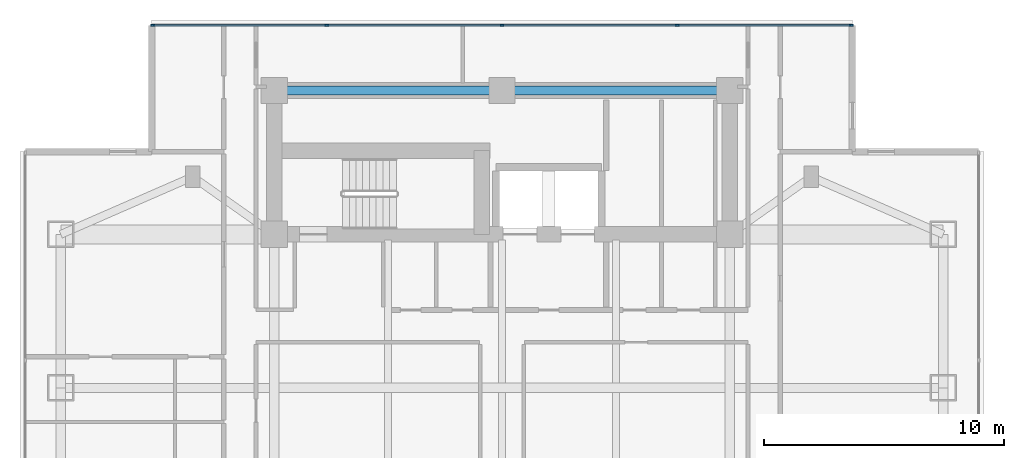
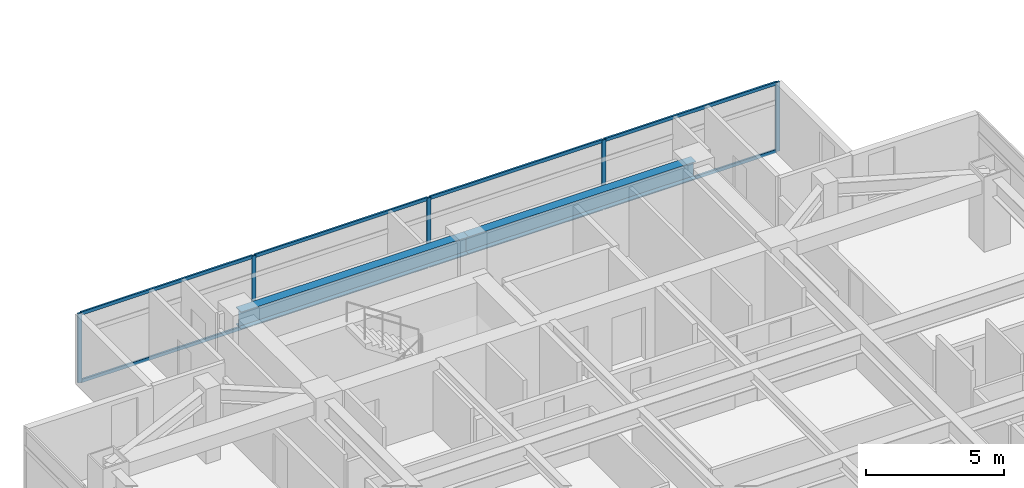
# One storey, part 8 of 24: 13 members, 2 beams, 1 element without a shape of its own.
"""IFC4 building model written with IfcOpenShell, lengths in metres."""

import ifcopenshell
import ifcopenshell.guid

model = None  # the IFC model being written
_history = None  # IfcOwnerHistory: only IFC2X3 demands one
_inside = {}  # id of a spatial element -> (the spatial element, [elements in it])
_under = {}  # id of a project, library or spatial element -> (it, [spatial elements below it])
_declared = {}  # id of a project -> (the project, [libraries it declares])
_typed = {}  # id of a type object -> (the type object, [elements of that type])
_made_of = {}  # id of a material, layer set ... -> (it, [elements and type objects made of it])


def new_model(schema):
    """Start an empty IFC model of exactly this schema.

    Asked for "IFC4X3", IfcOpenShell would pick the latest addendum, in which some entities
    have other attributes; the version numbers below select the first issue.
    IFC2X3 requires an IfcOwnerHistory on every rooted entity: one is made here for all.
    """
    global model, _history
    if schema == "IFC4X3":
        model = ifcopenshell.file(schema_version=(4, 3, 0, 0))
    else:
        model = ifcopenshell.file(schema=schema)
    _inside.clear()
    _under.clear()
    _declared.clear()
    _typed.clear()
    _made_of.clear()
    _history = None
    if model.schema == "IFC2X3":
        org = make("IfcOrganization", Name="unknown")
        user = make(
            "IfcPersonAndOrganization",
            ThePerson=make("IfcPerson", FamilyName="unknown"),
            TheOrganization=org,
        )
        app = make(
            "IfcApplication",
            ApplicationDeveloper=org,
            Version="unknown",
            ApplicationFullName="unknown",
            ApplicationIdentifier="unknown",
        )
        _history = make(
            "IfcOwnerHistory",
            OwningUser=user,
            OwningApplication=app,
            ChangeAction="ADDED",
            CreationDate=0,
        )
    return model


def make(cls, **values):
    """One entity of the class cls with the attributes given. An attribute that is None is left unset."""
    return model.create_entity(
        cls, **{name: value for name, value in values.items() if value is not None}
    )


def rooted(cls, **values):
    """An entity with a GlobalId (a new one), such as an element, a storey or a relation."""
    return make(cls, GlobalId=ifcopenshell.guid.new(), OwnerHistory=_history, **values)


def si_unit(unit_type, name, prefix=None):
    """IfcSIUnit, for example si_unit("LENGTHUNIT", "METRE", prefix="MILLI")."""
    return make("IfcSIUnit", UnitType=unit_type, Prefix=prefix, Name=name)


def assignment(units):
    """IfcUnitAssignment: the units of a project."""
    return None if units is None else make("IfcUnitAssignment", Units=units)


def point(xyz):
    """IfcCartesianPoint."""
    return None if xyz is None else make("IfcCartesianPoint", Coordinates=xyz)


def direction(xyz):
    """IfcDirection."""
    return None if xyz is None else make("IfcDirection", DirectionRatios=xyz)


def frame(location, z_axis=None, x_axis=None):
    """IfcAxis2Placement3D, a coordinate frame: its origin and axes. An axis left out is left unset."""
    return make(
        "IfcAxis2Placement3D",
        Location=point(location),
        Axis=direction(z_axis),
        RefDirection=direction(x_axis),
    )


def frame_2d(location, x_axis=None):
    """IfcAxis2Placement2D, a coordinate frame in the plane: its origin and x axis."""
    return make(
        "IfcAxis2Placement2D", Location=point(location), RefDirection=direction(x_axis)
    )


def origin():
    """The frame at (0, 0, 0) with its axes left unset."""
    return frame((0.0, 0.0, 0.0))


def origin_2d():
    """The frame at (0, 0) in the plane with its x axis left unset."""
    return frame_2d((0.0, 0.0))


def place(relative_to, where):
    """IfcLocalPlacement: puts the frame where relative to a parent placement (None: the world)."""
    return make(
        "IfcLocalPlacement", PlacementRelTo=relative_to, RelativePlacement=where
    )


def context(
    kind, dimensions, precision=None, world=None, true_north=None, identifier=None
):
    """IfcGeometricRepresentationContext, for example the 3D "Model" context."""
    return make(
        "IfcGeometricRepresentationContext",
        ContextIdentifier=identifier,
        ContextType=kind,
        CoordinateSpaceDimension=dimensions,
        Precision=precision,
        WorldCoordinateSystem=world,
        TrueNorth=true_north,
    )


def subcontext(parent, identifier, kind, view, scale=None):
    """IfcGeometricRepresentationSubContext, for example "Body" below "Model"."""
    return make(
        "IfcGeometricRepresentationSubContext",
        ContextIdentifier=identifier,
        ContextType=kind,
        ParentContext=parent,
        TargetScale=scale,
        TargetView=view,
    )


def project(units=None, contexts=None):
    """IfcProject with its units and contexts."""
    return rooted(
        "IfcProject",
        Name="project",
        RepresentationContexts=contexts,
        UnitsInContext=assignment(units),
    )


def spatial(cls, under=None, at=None, **own):
    """A site, building, storey or space (cls), placed at a placement, below another one or the project."""
    s = rooted(cls, ObjectPlacement=at, **own)
    if under is not None:
        _under.setdefault(under.id(), (under, []))[1].append(s)
    return s


def profile(cls, at=None, kind="AREA", **sizes):
    """A parametric profile (cls). Its sizes go by their IFC names, for example OverallWidth=200.0."""
    return make(cls, ProfileType=kind, Position=at, **sizes)


def rectangle(**sizes):
    """IfcRectangleProfileDef."""
    return profile("IfcRectangleProfileDef", **sizes)


def i_section(**sizes):
    """IfcIShapeProfileDef."""
    return profile("IfcIShapeProfileDef", **sizes)


def extrude(swept, where, along, depth):
    """IfcExtrudedAreaSolid: the profile swept, set in the frame where, extruded along a direction by depth."""
    return make(
        "IfcExtrudedAreaSolid",
        SweptArea=swept,
        Position=where,
        ExtrudedDirection=direction(along),
        Depth=depth,
    )


def shape(context_of_items, identifier, shape_type, items):
    """IfcShapeRepresentation: the items that make up one representation, for example the "Body"."""
    return make(
        "IfcShapeRepresentation",
        ContextOfItems=context_of_items,
        RepresentationIdentifier=identifier,
        RepresentationType=shape_type,
        Items=items,
    )


def material(Name=None, Category=None):
    """IfcMaterial."""
    return make("IfcMaterial", Name=Name, Category=Category)


def material_profile(
    of_material, cross_section, Name=None, Category=None, Priority=None
):
    """IfcMaterialProfile: a cross section and its material."""
    return make(
        "IfcMaterialProfile",
        Name=Name,
        Material=of_material,
        Profile=cross_section,
        Priority=Priority,
        Category=Category,
    )


def profile_set(profiles, Name=None, composite=None):
    """IfcMaterialProfileSet."""
    return make(
        "IfcMaterialProfileSet",
        Name=Name,
        MaterialProfiles=profiles,
        CompositeProfile=composite,
    )


def made_of(thing, what):
    """Note that an element or type object is made of a material, layer set ...; save() writes the relation."""
    if what is not None:
        _made_of.setdefault(what.id(), (what, []))[1].append(thing)
    return thing


def type_object(cls, material=None, **own):
    """A type object (cls), such as IfcWallType, which elements share."""
    return made_of(rooted(cls, **own), material)


def element(
    cls,
    number,
    at=None,
    inside=None,
    cuts=None,
    type_object=None,
    material=None,
    context=None,
    identifier="Body",
    shape_type=None,
    held_by="IfcProductDefinitionShape",
    body=None,
    shapes=None,
    **own,
):
    """One element of the class cls, such as IfcWall. Its Tag is "e" and its number.

    at: its placement. inside: the storey or other place that contains it. cuts: it is an
    opening in that element (IfcRelVoidsElement). A single representation is given by context,
    identifier, shape_type and body (its items); several are given by shapes. held_by: the class
    of the entity that holds the representations. save() writes the other relations.
    """
    e = rooted(cls, Tag="e%d" % number, ObjectPlacement=at, **own)
    if body is not None:
        shapes = [shape(context, identifier, shape_type, body)]
    if shapes is not None:
        e.Representation = make(held_by, Representations=shapes)
    if inside is not None:
        _inside.setdefault(inside.id(), (inside, []))[1].append(e)
    if cuts is not None:
        rooted(
            "IfcRelVoidsElement", RelatingBuildingElement=cuts, RelatedOpeningElement=e
        )
    if type_object is not None:
        _typed.setdefault(type_object.id(), (type_object, []))[1].append(e)
    return made_of(e, material)


def aggregate(whole, parts):
    """IfcRelAggregates: a whole, such as a stair, and the parts it consists of."""
    return rooted("IfcRelAggregates", RelatingObject=whole, RelatedObjects=parts)


def save(model, path):
    """Write the relations noted so far, then the file.

    IfcRelAggregates (storeys below a building ...), IfcRelContainedInSpatialStructure (elements
    in a storey), IfcRelDefinesByType, IfcRelAssociatesMaterial and IfcRelDeclares: one each for
    every whole, place, type object, material and project.
    """
    for whole, parts in _under.values():
        aggregate(whole, parts)
    for where, things in _inside.values():
        rooted(
            "IfcRelContainedInSpatialStructure",
            RelatedElements=things,
            RelatingStructure=where,
        )
    for kind, things in _typed.values():
        rooted("IfcRelDefinesByType", RelatedObjects=things, RelatingType=kind)
    for what, things in _made_of.values():
        rooted("IfcRelAssociatesMaterial", RelatedObjects=things, RelatingMaterial=what)
    for by, libraries in _declared.values():
        rooted("IfcRelDeclares", RelatingContext=by, RelatedDefinitions=libraries)
    model.write(path)


model = new_model("IFC4")

# Units and contexts
model_context = context("Model", 3, precision=1e-05, world=origin(), true_north=direction((0.0, 1.0)))
body_context = subcontext(model_context, "Body", "Model", "MODEL_VIEW")
ifc_project = project(units=[si_unit("LENGTHUNIT", "METRE"), si_unit("AREAUNIT", "SQUARE_METRE"), si_unit("VOLUMEUNIT", "CUBIC_METRE"), si_unit("PLANEANGLEUNIT", "RADIAN"), si_unit("MASSUNIT", "GRAM", prefix="KILO")], contexts=[model_context])

# Site, building, storey
site_placement = place(None, origin())
site = spatial("IfcSite", under=ifc_project, at=site_placement, CompositionType="ELEMENT")
building_placement = place(site_placement, origin())
building = spatial("IfcBuilding", under=site, at=building_placement, Name="Mirazonda Arch Towers", CompositionType="ELEMENT")
storey_placement = place(building_placement, frame((0.0, 0.0, 118.10009765625)))
storey = spatial("IfcBuildingStorey", under=building, at=storey_placement, Name="L33", CompositionType="ELEMENT", Elevation=118.10009765625)

# Beams
ifc_material_1 = material(Name="Steel ASTM A992 Grade 50", Category="steel")
ifc_material_profile_1 = material_profile(ifc_material_1, i_section(OverallWidth=0.381103515625, OverallDepth=0.77294921875, WebThickness=0.0166015625, FlangeThickness=0.027099609375, at=origin_2d()), Name="W30X173")
ifc_profile_set_1 = profile_set([ifc_material_profile_1], Name="Steel ASTM A992 Grade 50")
beam_type = type_object("IfcBeamType", Name="BM-INT-W30X173", PredefinedType="USERDEFINED", material=ifc_profile_set_1)
for number, where, z_axis, x_axis, name in (
    (1, (11.0, 43.60009765625, 2.693359375), (1.0, 0.0, 0.0), (0.0, 1.0, 0.0), "L33 Floor Beam BM-T1-L33-CN1"),
    (2, (20.5, 43.60009765625, 2.693359375), (1.0, 0.0, 0.0), (0.0, 1.0, 0.0), "L33 Floor Beam BM-T1-L33-CN2"),
):
    element("IfcBeam", number, at=place(storey_placement, frame(where, z_axis=z_axis, x_axis=x_axis)), inside=storey, type_object=beam_type, Name=name, ObjectType="GIRDER", PredefinedType="USERDEFINED", context=body_context, shape_type="SweptSolid", body=[
        extrude(i_section(OverallWidth=0.381103515625, OverallDepth=0.77294921875, WebThickness=0.0166015625, FlangeThickness=0.027099609375, at=origin_2d()), origin(), (0.0, 0.0, 1.0), 9.5),
    ])

# Curtain wall, members
ifc_material_2 = material(Name="Anodised Aluminium and Low-E Glass", Category="aluminium")
curtain_wall_type = type_object("IfcCurtainWallType", Name="CW-HTL-UNIT", PredefinedType="NOTDEFINED", material=ifc_material_2)
curtain_wall_placement = place(storey_placement, origin())
curtain_wall = element("IfcCurtainWall", 3, at=curtain_wall_placement, inside=storey, type_object=curtain_wall_type, Name="L33 T1 N Facade CW-L33-T1-N", PredefinedType="NOTDEFINED")
ifc_material_3 = material(Name="Anodised Aluminium Alloy", Category="aluminium")
ifc_material_profile_2 = material_profile(ifc_material_3, rectangle(XDim=0.074951171875, YDim=0.1650390625, at=origin_2d()), Name="ALU-MULL-75x165")
ifc_profile_set_2 = profile_set([ifc_material_profile_2], Name="Anodised Aluminium Alloy")
member_type_1 = type_object("IfcMemberType", Name="MULL-CW-HTL-UNIT", PredefinedType="MULLION", material=ifc_profile_set_2)
member_1_placement = place(storey_placement, frame((5.927490234375, 46.320068359375, 0.0), z_axis=(0.0, 0.0, 1.0), x_axis=(0.0, 1.0, 0.0)))
member_1 = element("IfcMember", 4, at=member_1_placement, type_object=member_type_1, Name="CW-112 mullion 1", PredefinedType="MULLION", context=body_context, shape_type="SweptSolid", body=[
    extrude(rectangle(XDim=0.074951171875, YDim=0.1650390625, at=origin_2d()), origin(), (0.0, 0.0, 1.0), 3.059814453125),
])
member_2_placement = place(storey_placement, frame((13.195068359375, 46.320068359375, 0.0), z_axis=(0.0, 0.0, 1.0), x_axis=(0.0, 1.0, 0.0)))
member_2 = element("IfcMember", 5, at=member_2_placement, type_object=member_type_1, Name="CW-112 mullion 2", PredefinedType="MULLION", context=body_context, shape_type="SweptSolid", body=[
    extrude(rectangle(XDim=0.074951171875, YDim=0.1650390625, at=origin_2d()), origin(), (0.0, 0.0, 1.0), 3.059814453125),
])
member_3_placement = place(storey_placement, frame((20.5, 46.320068359375, 0.0), z_axis=(0.0, 0.0, 1.0), x_axis=(0.0, 1.0, 0.0)))
member_3 = element("IfcMember", 6, at=member_3_placement, type_object=member_type_1, Name="CW-112 mullion 3", PredefinedType="MULLION", context=body_context, shape_type="SweptSolid", body=[
    extrude(rectangle(XDim=0.074951171875, YDim=0.1650390625, at=origin_2d()), origin(), (0.0, 0.0, 1.0), 3.059814453125),
])
member_4_placement = place(storey_placement, frame((27.804931640625, 46.320068359375, 0.0), z_axis=(0.0, 0.0, 1.0), x_axis=(0.0, 1.0, 0.0)))
member_4 = element("IfcMember", 7, at=member_4_placement, type_object=member_type_1, Name="CW-112 mullion 4", PredefinedType="MULLION", context=body_context, shape_type="SweptSolid", body=[
    extrude(rectangle(XDim=0.074951171875, YDim=0.1650390625, at=origin_2d()), origin(), (0.0, 0.0, 1.0), 3.059814453125),
])
member_5_placement = place(storey_placement, frame((35.072509765625, 46.320068359375, 0.0), z_axis=(0.0, 0.0, 1.0), x_axis=(0.0, 1.0, 0.0)))
member_5 = element("IfcMember", 8, at=member_5_placement, type_object=member_type_1, Name="CW-112 mullion 5", PredefinedType="MULLION", context=body_context, shape_type="SweptSolid", body=[
    extrude(rectangle(XDim=0.074951171875, YDim=0.1650390625, at=origin_2d()), origin(), (0.0, 0.0, 1.0), 3.059814453125),
])
ifc_material_profile_3 = material_profile(ifc_material_3, rectangle(XDim=0.074951171875, YDim=0.14501953125, at=origin_2d()), Name="ALU-TRAN-75x145")
ifc_profile_set_3 = profile_set([ifc_material_profile_3], Name="Anodised Aluminium Alloy")
member_type_2 = type_object("IfcMemberType", Name="TRAN-CW-HTL-UNIT", PredefinedType="USERDEFINED", material=ifc_profile_set_3)
member_6_placement = place(storey_placement, frame((5.965087890625, 46.320068359375, 0.037353515625), z_axis=(1.0, 0.0, 0.0), x_axis=(0.0, 1.0, 0.0)))
member_6 = element("IfcMember", 9, at=member_6_placement, type_object=member_type_2, Name="CW-112 transom 1.1", ObjectType="TRANSOM", PredefinedType="USERDEFINED", context=body_context, shape_type="SweptSolid", body=[
    extrude(rectangle(XDim=0.074951171875, YDim=0.14501953125, at=origin_2d()), origin(), (0.0, 0.0, 1.0), 7.1923828125),
])
member_7_placement = place(storey_placement, frame((5.965087890625, 46.320068359375, 3.0224609375), z_axis=(1.0, 0.0, 0.0), x_axis=(0.0, 1.0, 0.0)))
member_7 = element("IfcMember", 10, at=member_7_placement, type_object=member_type_2, Name="CW-112 transom 1.2", ObjectType="TRANSOM", PredefinedType="USERDEFINED", context=body_context, shape_type="SweptSolid", body=[
    extrude(rectangle(XDim=0.074951171875, YDim=0.14501953125, at=origin_2d()), origin(), (0.0, 0.0, 1.0), 7.1923828125),
])
member_8_placement = place(storey_placement, frame((13.232421875, 46.320068359375, 0.037353515625), z_axis=(1.0, 0.0, 0.0), x_axis=(0.0, 1.0, 0.0)))
member_8 = element("IfcMember", 11, at=member_8_placement, type_object=member_type_2, Name="CW-112 transom 2.1", ObjectType="TRANSOM", PredefinedType="USERDEFINED", context=body_context, shape_type="SweptSolid", body=[
    extrude(rectangle(XDim=0.074951171875, YDim=0.14501953125, at=origin_2d()), origin(), (0.0, 0.0, 1.0), 7.22998046875),
])
member_9_placement = place(storey_placement, frame((13.232421875, 46.320068359375, 3.0224609375), z_axis=(1.0, 0.0, 0.0), x_axis=(0.0, 1.0, 0.0)))
member_9 = element("IfcMember", 12, at=member_9_placement, type_object=member_type_2, Name="CW-112 transom 2.2", ObjectType="TRANSOM", PredefinedType="USERDEFINED", context=body_context, shape_type="SweptSolid", body=[
    extrude(rectangle(XDim=0.074951171875, YDim=0.14501953125, at=origin_2d()), origin(), (0.0, 0.0, 1.0), 7.22998046875),
])
member_10_placement = place(storey_placement, frame((20.53759765625, 46.320068359375, 0.037353515625), z_axis=(1.0, 0.0, 0.0), x_axis=(0.0, 1.0, 0.0)))
member_10 = element("IfcMember", 13, at=member_10_placement, type_object=member_type_2, Name="CW-112 transom 3.1", ObjectType="TRANSOM", PredefinedType="USERDEFINED", context=body_context, shape_type="SweptSolid", body=[
    extrude(rectangle(XDim=0.074951171875, YDim=0.14501953125, at=origin_2d()), origin(), (0.0, 0.0, 1.0), 7.22998046875),
])
member_11_placement = place(storey_placement, frame((20.53759765625, 46.320068359375, 3.0224609375), z_axis=(1.0, 0.0, 0.0), x_axis=(0.0, 1.0, 0.0)))
member_11 = element("IfcMember", 14, at=member_11_placement, type_object=member_type_2, Name="CW-112 transom 3.2", ObjectType="TRANSOM", PredefinedType="USERDEFINED", context=body_context, shape_type="SweptSolid", body=[
    extrude(rectangle(XDim=0.074951171875, YDim=0.14501953125, at=origin_2d()), origin(), (0.0, 0.0, 1.0), 7.22998046875),
])
member_12_placement = place(storey_placement, frame((27.842529296875, 46.320068359375, 0.037353515625), z_axis=(1.0, 0.0, 0.0), x_axis=(0.0, 1.0, 0.0)))
member_12 = element("IfcMember", 15, at=member_12_placement, type_object=member_type_2, Name="CW-112 transom 4.1", ObjectType="TRANSOM", PredefinedType="USERDEFINED", context=body_context, shape_type="SweptSolid", body=[
    extrude(rectangle(XDim=0.074951171875, YDim=0.14501953125, at=origin_2d()), origin(), (0.0, 0.0, 1.0), 7.1923828125),
])
member_13_placement = place(storey_placement, frame((27.842529296875, 46.320068359375, 3.0224609375), z_axis=(1.0, 0.0, 0.0), x_axis=(0.0, 1.0, 0.0)))
member_13 = element("IfcMember", 16, at=member_13_placement, type_object=member_type_2, Name="CW-112 transom 4.2", ObjectType="TRANSOM", PredefinedType="USERDEFINED", context=body_context, shape_type="SweptSolid", body=[
    extrude(rectangle(XDim=0.074951171875, YDim=0.14501953125, at=origin_2d()), origin(), (0.0, 0.0, 1.0), 7.1923828125),
])
aggregate(curtain_wall, [member_1, member_2, member_3, member_4, member_5, member_6, member_7, member_8, member_9, member_10, member_11, member_12, member_13])

save(model, "model.ifc")
